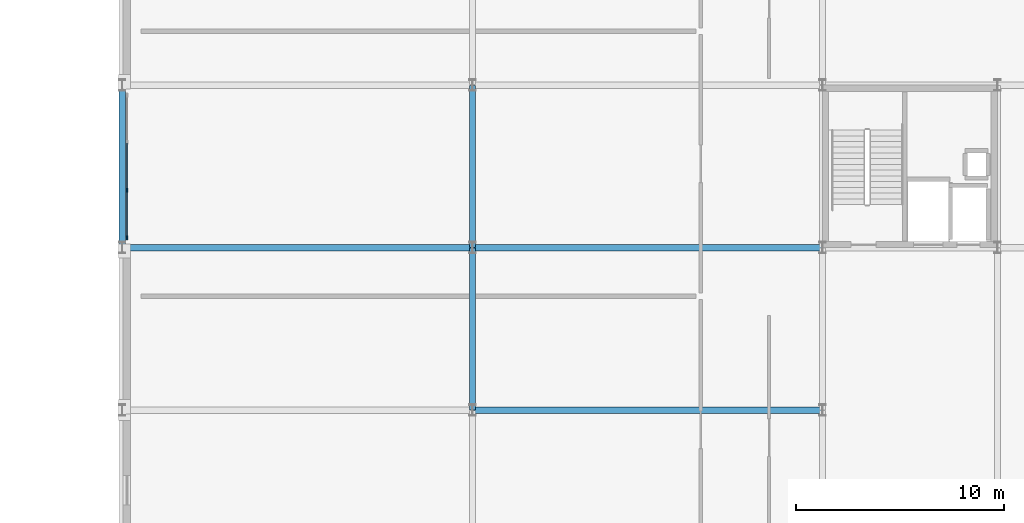
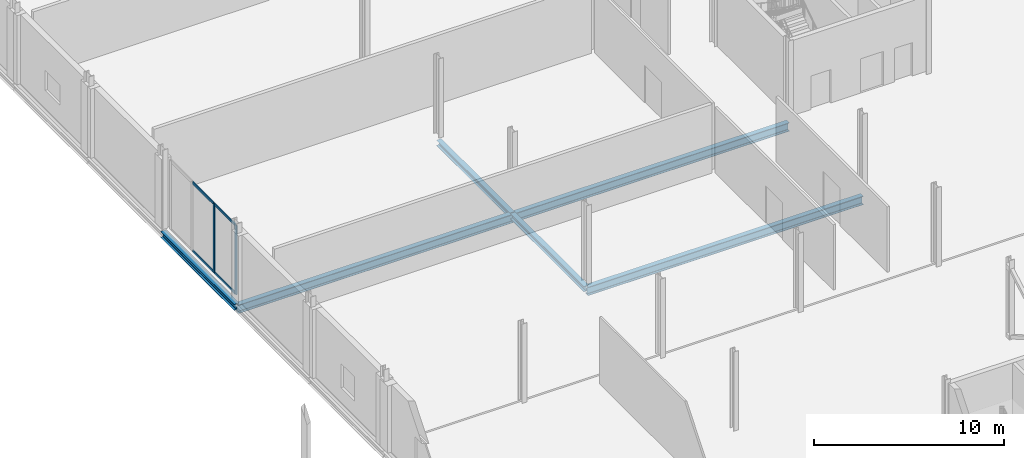
# One storey, part 30 of 105: 6 beams, 6 members, 1 element without a shape of its own.
"""IFC4 building model written with IfcOpenShell, lengths in metres."""

from ifc_helpers import new_model, si_unit, direction, frame, origin, origin_2d, place, context, subcontext, project, spatial, rectangle, i_section, extrude, material, material_profile, profile_set, type_object, element, aggregate, save


model = new_model("IFC4")

# Units and contexts
model_context = context("Model", 3, precision=1e-05, world=origin(), true_north=direction((0.0, 1.0)))
body_context = subcontext(model_context, "Body", "Model", "MODEL_VIEW")
ifc_project = project(units=[si_unit("LENGTHUNIT", "METRE"), si_unit("AREAUNIT", "SQUARE_METRE"), si_unit("VOLUMEUNIT", "CUBIC_METRE"), si_unit("PLANEANGLEUNIT", "RADIAN"), si_unit("MASSUNIT", "GRAM", prefix="KILO")], contexts=[model_context])

# Site, building, storey
site_placement = place(None, origin())
site = spatial("IfcSite", under=ifc_project, at=site_placement, CompositionType="ELEMENT")
building_placement = place(site_placement, origin())
building = spatial("IfcBuilding", under=site, at=building_placement, Name="Nabrawat Pavilion Hospital", CompositionType="ELEMENT")
storey_placement = place(building_placement, frame((0.0, 0.0, 5.10009765625)))
storey = spatial("IfcBuildingStorey", under=building, at=storey_placement, Name="L01", CompositionType="ELEMENT", Elevation=5.10009765625)

# Curtain wall, members
ifc_material_1 = material(Name="Anodised Aluminium", Category="aluminium")
curtain_wall_type = type_object("IfcCurtainWallType", Name="Emergency Concourse Glazed Screen", PredefinedType="USERDEFINED", material=ifc_material_1)
curtain_wall_placement = place(storey_placement, origin())
curtain_wall = element("IfcCurtainWall", 1, at=curtain_wall_placement, inside=storey, type_object=curtain_wall_type, Name="L01 Emergency Concourse Glazed Screen 031", ObjectType="CURTAIN WALL", PredefinedType="USERDEFINED")
ifc_material_profile_1 = material_profile(ifc_material_1, rectangle(XDim=0.070068359375, YDim=0.199951171875, at=origin_2d()), Name="CWM 70x200")
ifc_profile_set_1 = profile_set([ifc_material_profile_1], Name="Anodised Aluminium")
member_type_1 = type_object("IfcMemberType", Name="Emergency Concourse Glazed Screen Mullion CWM 70x200", PredefinedType="MULLION", material=ifc_profile_set_1)
member_1_placement = place(storey_placement, frame((0.219970703125, 55.080078125, 0.0), z_axis=(0.0, 0.0, 1.0), x_axis=(-1.0, 0.0, 0.0)))
member_1 = element("IfcMember", 2, at=member_1_placement, type_object=member_type_1, Name="CW-ED-01 mullion 1", PredefinedType="MULLION", context=body_context, shape_type="SweptSolid", body=[
    extrude(rectangle(XDim=0.070068359375, YDim=0.199951171875, at=origin_2d()), origin(), (0.0, 0.0, 1.0), 4.4599609375),
])
member_2_placement = place(storey_placement, frame((0.219970703125, 57.348388671875, 0.0), z_axis=(0.0, 0.0, 1.0), x_axis=(-1.0, 0.0, 0.0)))
member_2 = element("IfcMember", 3, at=member_2_placement, type_object=member_type_1, Name="CW-ED-01 mullion 2", PredefinedType="MULLION", context=body_context, shape_type="SweptSolid", body=[
    extrude(rectangle(XDim=0.070068359375, YDim=0.199951171875, at=origin_2d()), origin(), (0.0, 0.0, 1.0), 4.4599609375),
])
ifc_material_profile_2 = material_profile(ifc_material_1, rectangle(XDim=0.070068359375, YDim=0.14990234375, at=origin_2d()), Name="CWT 70x150")
ifc_profile_set_2 = profile_set([ifc_material_profile_2], Name="Anodised Aluminium")
member_type_2 = type_object("IfcMemberType", Name="Emergency Concourse Glazed Screen Transom CWT 70x150", PredefinedType="USERDEFINED", material=ifc_profile_set_2)
member_3_placement = place(storey_placement, frame((0.219970703125, 55.114990234375, 0.034912109375), z_axis=(0.0, 1.0, 0.0), x_axis=(-1.0, 0.0, 0.0)))
member_3 = element("IfcMember", 4, at=member_3_placement, type_object=member_type_2, Name="CW-ED-01 transom 1.1", ObjectType="TRANSOM", PredefinedType="USERDEFINED", context=body_context, shape_type="SweptSolid", body=[
    extrude(rectangle(XDim=0.070068359375, YDim=0.14990234375, at=origin_2d()), origin(), (0.0, 0.0, 1.0), 2.1982421875),
])
member_4_placement = place(storey_placement, frame((0.219970703125, 55.114990234375, 4.4248046875), z_axis=(0.0, 1.0, 0.0), x_axis=(-1.0, 0.0, 0.0)))
member_4 = element("IfcMember", 5, at=member_4_placement, type_object=member_type_2, Name="CW-ED-01 transom 1.2", ObjectType="TRANSOM", PredefinedType="USERDEFINED", context=body_context, shape_type="SweptSolid", body=[
    extrude(rectangle(XDim=0.070068359375, YDim=0.14990234375, at=origin_2d()), origin(), (0.0, 0.0, 1.0), 2.1982421875),
])
member_5_placement = place(storey_placement, frame((0.219970703125, 57.38330078125, 0.034912109375), z_axis=(0.0, 1.0, 0.0), x_axis=(-1.0, 0.0, 0.0)))
member_5 = element("IfcMember", 6, at=member_5_placement, type_object=member_type_2, Name="CW-ED-01 transom 2.1", ObjectType="TRANSOM", PredefinedType="USERDEFINED", context=body_context, shape_type="SweptSolid", body=[
    extrude(rectangle(XDim=0.070068359375, YDim=0.14990234375, at=origin_2d()), origin(), (0.0, 0.0, 1.0), 2.2333984375),
])
member_6_placement = place(storey_placement, frame((0.219970703125, 57.38330078125, 4.4248046875), z_axis=(0.0, 1.0, 0.0), x_axis=(-1.0, 0.0, 0.0)))
member_6 = element("IfcMember", 7, at=member_6_placement, type_object=member_type_2, Name="CW-ED-01 transom 2.2", ObjectType="TRANSOM", PredefinedType="USERDEFINED", context=body_context, shape_type="SweptSolid", body=[
    extrude(rectangle(XDim=0.070068359375, YDim=0.14990234375, at=origin_2d()), origin(), (0.0, 0.0, 1.0), 2.2333984375),
])
aggregate(curtain_wall, [member_1, member_2, member_3, member_4, member_5, member_6])

# Beams
ifc_material_2 = material(Name="Steel S355", Category="steel")
ifc_material_profile_3 = material_profile(ifc_material_2, i_section(OverallWidth=0.300048828125, OverallDepth=0.389892578125, WebThickness=0.010986328125, FlangeThickness=0.01904296875, FilletRadius=0.027099609375, at=origin_2d()), Name="HEA 400")
ifc_profile_set_3 = profile_set([ifc_material_profile_3], Name="Steel S355")
beam_type_1 = type_object("IfcBeamType", Name="Perimeter Moment Spandrel Beam HEA 400", PredefinedType="SPANDREL", material=ifc_profile_set_3)
beam_1_placement = place(storey_placement, frame((0.0, 54.6201171875, -0.465087890625), z_axis=(0.0, 1.0, 0.0), x_axis=(-1.0, 0.0, 0.0)))
element("IfcBeam", 8, at=beam_1_placement, inside=storey, type_object=beam_type_1, Name="L01 Primary Y Beam 701", PredefinedType="SPANDREL", context=body_context, shape_type="SweptSolid", body=[
    extrude(i_section(OverallWidth=0.300048828125, OverallDepth=0.389892578125, WebThickness=0.010986328125, FlangeThickness=0.01904296875, FilletRadius=0.027099609375, at=origin_2d()), origin(), (0.0, 0.0, 1.0), 7.759765625),
])
ifc_material_profile_4 = material_profile(ifc_material_2, i_section(OverallWidth=0.300048828125, OverallDepth=0.550048828125, WebThickness=0.014892578125, FlangeThickness=0.029052734375, FilletRadius=0.027099609375, at=origin_2d()), Name="HEB 550")
ifc_profile_set_4 = profile_set([ifc_material_profile_4], Name="Steel S355")
beam_type_2 = type_object("IfcBeamType", Name="Primary Floor Girder HEB 550", PredefinedType="USERDEFINED", material=ifc_profile_set_4)
for number, where, z_axis, x_axis, name in (
    (9, (16.820068359375, 46.800048828125, -0.545166015625), (1.0, 0.0, 0.0), (0.0, 1.0, 0.0), "L01 Primary X Girder 537"),
    (10, (0.02001953125, 54.60009765625, -0.545166015625), (1.0, 0.0, 0.0), (0.0, 1.0, 0.0), "L01 Primary X Girder 548"),
    (11, (16.820068359375, 54.60009765625, -0.545166015625), (1.0, 0.0, 0.0), (0.0, 1.0, 0.0), "L01 Primary X Girder 549"),
):
    element("IfcBeam", number, at=place(storey_placement, frame(where, z_axis=z_axis, x_axis=x_axis)), inside=storey, type_object=beam_type_2, Name=name, ObjectType="GIRDER", PredefinedType="USERDEFINED", context=body_context, shape_type="SweptSolid", body=[
        extrude(i_section(OverallWidth=0.300048828125, OverallDepth=0.550048828125, WebThickness=0.014892578125, FlangeThickness=0.029052734375, FilletRadius=0.027099609375, at=origin_2d()), origin(), (0.0, 0.0, 1.0), 16.760009765625),
    ])
ifc_material_profile_5 = material_profile(ifc_material_2, i_section(OverallWidth=0.300048828125, OverallDepth=0.35009765625, WebThickness=0.009521484375, FlangeThickness=0.017578125, FilletRadius=0.027099609375, at=origin_2d()), Name="HEA 360")
ifc_profile_set_5 = profile_set([ifc_material_profile_5], Name="Steel S355")
beam_type_3 = type_object("IfcBeamType", Name="Surgical Stiffened Beam HEA 360", PredefinedType="BEAM", material=ifc_profile_set_5)
beam_2_placement = place(storey_placement, frame((16.800048828125, 46.820068359375, -0.445068359375), z_axis=(0.0, 1.0, 0.0), x_axis=(-1.0, 0.0, 0.0)))
element("IfcBeam", 12, at=beam_2_placement, inside=storey, type_object=beam_type_3, Name="L01 Primary Y Beam 715", PredefinedType="BEAM", context=body_context, shape_type="SweptSolid", body=[
    extrude(i_section(OverallWidth=0.300048828125, OverallDepth=0.35009765625, WebThickness=0.009521484375, FlangeThickness=0.017578125, FilletRadius=0.027099609375, at=origin_2d()), origin(), (0.0, 0.0, 1.0), 7.760009765625),
])
beam_3_placement = place(storey_placement, frame((16.800048828125, 54.6201171875, -0.445068359375), z_axis=(0.0, 1.0, 0.0), x_axis=(-1.0, 0.0, 0.0)))
element("IfcBeam", 13, at=beam_3_placement, inside=storey, type_object=beam_type_3, Name="L01 Primary Y Beam 716", PredefinedType="BEAM", context=body_context, shape_type="SweptSolid", body=[
    extrude(i_section(OverallWidth=0.300048828125, OverallDepth=0.35009765625, WebThickness=0.009521484375, FlangeThickness=0.017578125, FilletRadius=0.027099609375, at=origin_2d()), origin(), (0.0, 0.0, 1.0), 7.759765625),
])

save(model, "model.ifc")
